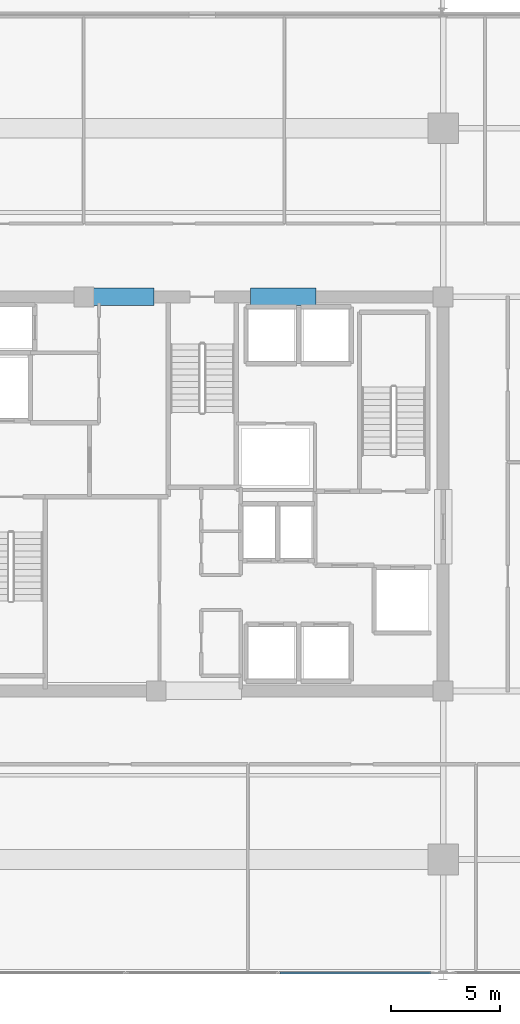
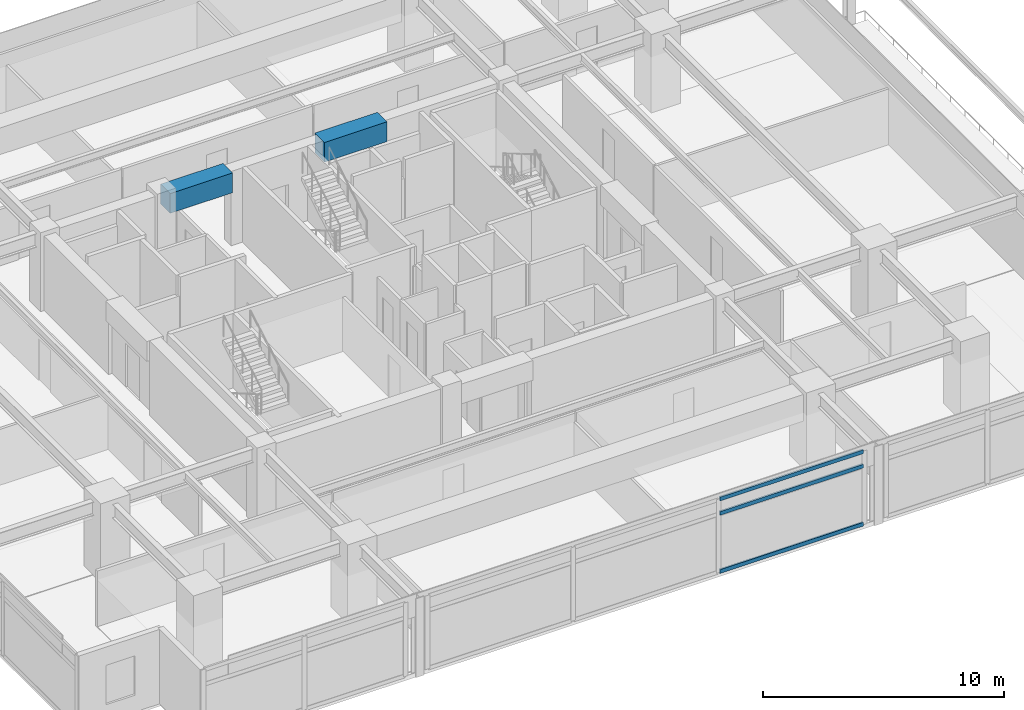
# One storey, part 8 of 20: 3 members, 2 beams, 1 element without a shape of its own.
"""IFC4 building model written with IfcOpenShell, lengths in metres."""

from ifc_helpers import new_model, si_unit, direction, frame, origin, origin_2d, place, context, subcontext, project, spatial, rectangle, hollow_rectangle, extrude, material, material_profile, profile_set, type_object, element, aggregate, save


model = new_model("IFC4")

# Units and contexts
model_context = context("Model", 3, precision=1e-05, world=origin(), true_north=direction((0.0, 1.0)))
body_context = subcontext(model_context, "Body", "Model", "MODEL_VIEW")
ifc_project = project(units=[si_unit("LENGTHUNIT", "METRE"), si_unit("AREAUNIT", "SQUARE_METRE"), si_unit("VOLUMEUNIT", "CUBIC_METRE"), si_unit("PLANEANGLEUNIT", "RADIAN"), si_unit("MASSUNIT", "GRAM", prefix="KILO")], contexts=[model_context])

# Site, building, storey
site_placement = place(None, origin())
site = spatial("IfcSite", under=ifc_project, at=site_placement, CompositionType="ELEMENT")
building_placement = place(site_placement, origin())
building = spatial("IfcBuilding", under=site, at=building_placement, Name="Kovane Verandah Tower", CompositionType="ELEMENT")
storey_placement = place(building_placement, frame((0.0, 0.0, 213.199951171875)))
storey = spatial("IfcBuildingStorey", under=building, at=storey_placement, Name="L49", CompositionType="ELEMENT", Elevation=213.199951171875)

# Beams
ifc_material_1 = material(Name="Concrete C60/75", Category="concrete")
ifc_material_profile_1 = material_profile(ifc_material_1, rectangle(XDim=0.800048828125, YDim=1.0, at=origin_2d()), Name="RCB800x1000")
ifc_profile_set_1 = profile_set([ifc_material_profile_1], Name="Concrete C60/75")
beam_type = type_object("IfcBeamType", Name="BM-LINTEL-800x1000", PredefinedType="LINTEL", material=ifc_profile_set_1)
for number, where, z_axis, x_axis, name in (
    (1, (34.800048828125, 36.5, 3.275146484375), (1.0, 0.0, 0.0), (0.0, 1.0, 0.0), "L49 Core Coupling Lintel CL-N1"),
    (2, (42.199951171875, 36.5, 3.275146484375), (1.0, 0.0, 0.0), (0.0, 1.0, 0.0), "L49 Core Coupling Lintel CL-N2"),
):
    element("IfcBeam", number, at=place(storey_placement, frame(where, z_axis=z_axis, x_axis=x_axis)), inside=storey, type_object=beam_type, Name=name, PredefinedType="LINTEL", context=body_context, shape_type="SweptSolid", body=[
        extrude(rectangle(XDim=0.800048828125, YDim=1.0, at=origin_2d()), origin(), (0.0, 0.0, 1.0), 3.0),
    ])

# Curtain wall, members
ifc_material_2 = material(Name="Champagne Anodised Aluminium Frame with Low-E Clear Laminated Glass", Category="aluminium")
curtain_wall_type = type_object("IfcCurtainWallType", Name="CW-SYS-03-MID", PredefinedType="NOTDEFINED", material=ifc_material_2)
curtain_wall_placement = place(storey_placement, origin())
curtain_wall = element("IfcCurtainWall", 3, at=curtain_wall_placement, inside=storey, type_object=curtain_wall_type, Name="L49 S Unitised Curtain Wall-2", PredefinedType="NOTDEFINED")
ifc_material_3 = material(Name="Champagne Anodised Aluminium 6063-T6", Category="aluminium")
ifc_material_profile_2 = material_profile(ifc_material_3, hollow_rectangle(XDim=0.0849609375, YDim=0.18994140625, WallThickness=0.00390625, at=origin_2d()), Name="AL85x190x4")
ifc_profile_set_2 = profile_set([ifc_material_profile_2], Name="Champagne Anodised Aluminium 6063-T6")
member_type = type_object("IfcMemberType", Name="CW-TRN-85x190", PredefinedType="USERDEFINED", material=ifc_profile_set_2)
member_1_placement = place(storey_placement, frame((43.543212890625, 5.619384765625, 0.050048828125), z_axis=(1.0, 0.0, 0.0), x_axis=(0.0, 1.0, 0.0)))
member_1 = element("IfcMember", 4, at=member_1_placement, type_object=member_type, Name="L49 S Unitised Curtain Wall-2 Transom TB Bay 3", ObjectType="TRANSOM", PredefinedType="USERDEFINED", context=body_context, shape_type="SweptSolid", body=[
    extrude(hollow_rectangle(XDim=0.0849609375, YDim=0.18994140625, WallThickness=0.00390625, at=origin_2d()), origin(), (0.0, 0.0, 1.0), 6.88671875),
])
member_2_placement = place(storey_placement, frame((43.543212890625, 5.619384765625, 2.9951171875), z_axis=(1.0, 0.0, 0.0), x_axis=(0.0, 1.0, 0.0)))
member_2 = element("IfcMember", 5, at=member_2_placement, type_object=member_type, Name="L49 S Unitised Curtain Wall-2 Transom TM Bay 3", ObjectType="TRANSOM", PredefinedType="USERDEFINED", context=body_context, shape_type="SweptSolid", body=[
    extrude(hollow_rectangle(XDim=0.0849609375, YDim=0.18994140625, WallThickness=0.00390625, at=origin_2d()), origin(), (0.0, 0.0, 1.0), 6.88671875),
])
member_3_placement = place(storey_placement, frame((43.543212890625, 5.619384765625, 3.72509765625), z_axis=(1.0, 0.0, 0.0), x_axis=(0.0, 1.0, 0.0)))
member_3 = element("IfcMember", 6, at=member_3_placement, type_object=member_type, Name="L49 S Unitised Curtain Wall-2 Transom TT Bay 3", ObjectType="TRANSOM", PredefinedType="USERDEFINED", context=body_context, shape_type="SweptSolid", body=[
    extrude(hollow_rectangle(XDim=0.0849609375, YDim=0.18994140625, WallThickness=0.00390625, at=origin_2d()), origin(), (0.0, 0.0, 1.0), 6.88671875),
])
aggregate(curtain_wall, [member_1, member_2, member_3])

save(model, "model.ifc")
